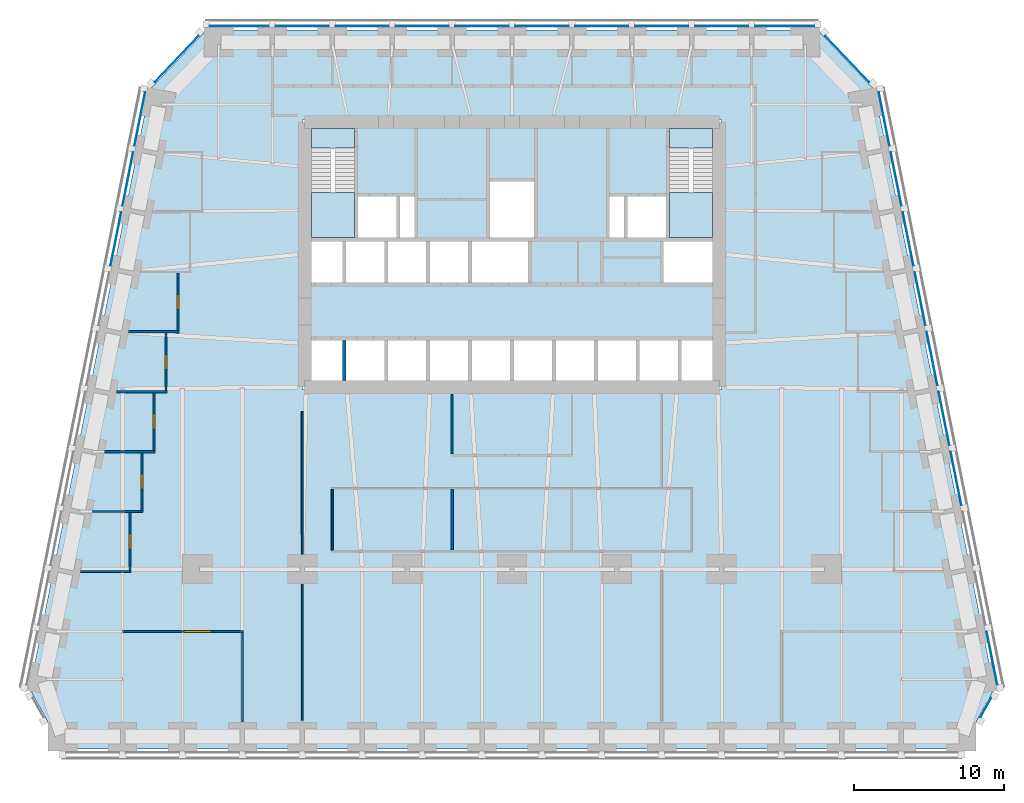
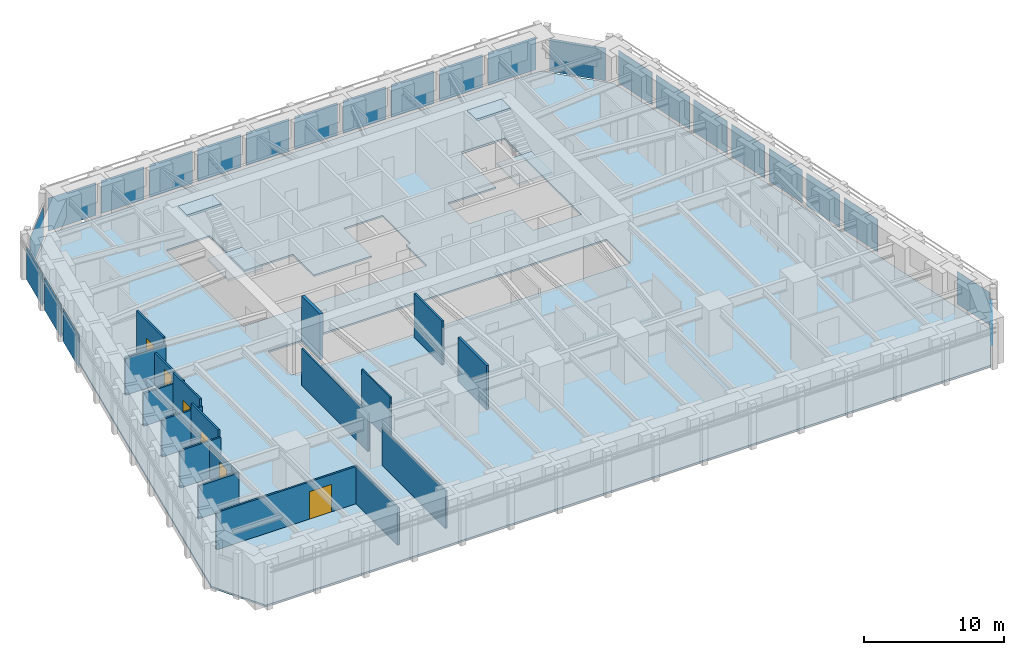
# One storey, part 5 of 10: 24 plates, 18 walls, 6 doors, 5 slabs, 6 openings, 8 elements without a shape of their own.
"""IFC4 building model written with IfcOpenShell, lengths in metres."""

from ifc_helpers import new_model, si_unit, direction, frame, frame_2d, origin, origin_2d, place, context, subcontext, project, spatial, polyline, rectangle, outline, extrude, material, layer, layer_set, type_object, element, fill, aggregate, save


model = new_model("IFC4")

# Units and contexts
model_context = context("Model", 3, precision=1e-05, world=origin(), true_north=direction((0.0, 1.0)))
body_context = subcontext(model_context, "Body", "Model", "MODEL_VIEW")
ifc_project = project(units=[si_unit("LENGTHUNIT", "METRE"), si_unit("AREAUNIT", "SQUARE_METRE"), si_unit("VOLUMEUNIT", "CUBIC_METRE"), si_unit("PLANEANGLEUNIT", "RADIAN"), si_unit("MASSUNIT", "GRAM", prefix="KILO")], contexts=[model_context])

# Site, building, storey
site_placement = place(None, origin())
site = spatial("IfcSite", under=ifc_project, at=site_placement, CompositionType="ELEMENT")
building_placement = place(site_placement, origin())
building = spatial("IfcBuilding", under=site, at=building_placement, Name="Isbrekke Arena Tower", CompositionType="ELEMENT")
storey_placement = place(building_placement, frame((0.0, 0.0, 84.0)))
storey = spatial("IfcBuildingStorey", under=building, at=storey_placement, Name="L18", CompositionType="ELEMENT", Elevation=84.0)

# Curtain wall, plate
ifc_material_1 = material(Name="Glazed aluminium curtain wall", Category="aluminium")
curtain_wall_type = type_object("IfcCurtainWallType", Name="CWL TOWER CURTAIN WALL LOW ZONE", PredefinedType="USERDEFINED", material=ifc_material_1)
curtain_wall_1_placement = place(storey_placement, origin())
curtain_wall_1 = element("IfcCurtainWall", 1, at=curtain_wall_1_placement, inside=storey, type_object=curtain_wall_type, Name="CWL curtain wall L18-SE", ObjectType="TOWER CURTAIN WALL LOW ZONE", PredefinedType="USERDEFINED")
ifc_material_2 = material(Name="Triple-glazed clear glass unit", Category="glass")
ifc_layer_1 = layer(ifc_material_2, 0.031982421875)
ifc_layer_set_1 = layer_set([ifc_layer_1], Name="CWL-P VISION PANEL")
plate_type = type_object("IfcPlateType", Name="CWL-P VISION PANEL", PredefinedType="CURTAIN_PANEL", material=ifc_layer_set_1)
plate_1_placement = place(storey_placement, frame((31.62744140625, -15.24853515625, 0.02001953125), z_axis=(0.0, 0.0, 1.0), x_axis=(0.481918749773, 0.876215908676, 0.0)))
plate_1 = element("IfcPlate", 2, at=plate_1_placement, type_object=plate_type, Name="CWL-P panel 1", PredefinedType="CURTAIN_PANEL", context=body_context, shape_type="SweptSolid", body=[
    extrude(rectangle(XDim=1.453369140625, YDim=0.031982421875, at=origin_2d()), origin(), (0.0, 0.0, 1.0), 2.8798828125),
])
aggregate(curtain_wall_1, [plate_1])

# Curtain wall, plates
curtain_wall_2_placement = place(storey_placement, origin())
curtain_wall_2 = element("IfcCurtainWall", 3, at=curtain_wall_2_placement, inside=storey, type_object=curtain_wall_type, Name="CWL curtain wall L18-E", ObjectType="TOWER CURTAIN WALL LOW ZONE", PredefinedType="USERDEFINED")
plate_2_placement = place(storey_placement, frame((32.045166015625, -11.950927734375, 0.02001953125), z_axis=(0.0, 0.0, 1.0), x_axis=(-0.196116135138, 0.980580675691, 0.0)))
plate_2 = element("IfcPlate", 4, at=plate_2_placement, type_object=plate_type, Name="CWL-P panel 1", PredefinedType="CURTAIN_PANEL", context=body_context, shape_type="SweptSolid", body=[
    extrude(rectangle(XDim=3.629150390625, YDim=0.031982421875, at=origin_2d()), origin(), (0.0, 0.0, 1.0), 2.8798828125),
])
plate_3_placement = place(storey_placement, frame((29.645263671875, 0.049072265625, 0.02001953125), z_axis=(0.0, 0.0, 1.0), x_axis=(-0.196116135138, 0.980580675691, 0.0)))
plate_3 = element("IfcPlate", 5, at=plate_3_placement, type_object=plate_type, Name="CWL-P panel 4", PredefinedType="CURTAIN_PANEL", context=body_context, shape_type="SweptSolid", body=[
    extrude(rectangle(XDim=3.629150390625, YDim=0.031982421875, at=origin_2d()), origin(), (0.0, 0.0, 1.0), 2.8798828125),
])
plate_4_placement = place(storey_placement, frame((28.84521484375, 4.049072265625, 0.02001953125), z_axis=(0.0, 0.0, 1.0), x_axis=(-0.196116135138, 0.980580675691, 0.0)))
plate_4 = element("IfcPlate", 6, at=plate_4_placement, type_object=plate_type, Name="CWL-P panel 5", PredefinedType="CURTAIN_PANEL", context=body_context, shape_type="SweptSolid", body=[
    extrude(rectangle(XDim=3.629150390625, YDim=0.031982421875, at=origin_2d()), origin(), (0.0, 0.0, 1.0), 2.8798828125),
])
plate_5_placement = place(storey_placement, frame((28.045166015625, 8.049072265625, 0.02001953125), z_axis=(0.0, 0.0, 1.0), x_axis=(-0.196116135138, 0.980580675691, 0.0)))
plate_5 = element("IfcPlate", 7, at=plate_5_placement, type_object=plate_type, Name="CWL-P panel 6", PredefinedType="CURTAIN_PANEL", context=body_context, shape_type="SweptSolid", body=[
    extrude(rectangle(XDim=3.629150390625, YDim=0.031982421875, at=origin_2d()), origin(), (0.0, 0.0, 1.0), 2.8798828125),
])
plate_6_placement = place(storey_placement, frame((27.2451171875, 12.049072265625, 0.02001953125), z_axis=(0.0, 0.0, 1.0), x_axis=(-0.196116135138, 0.980580675691, 0.0)))
plate_6 = element("IfcPlate", 8, at=plate_6_placement, type_object=plate_type, Name="CWL-P panel 7", PredefinedType="CURTAIN_PANEL", context=body_context, shape_type="SweptSolid", body=[
    extrude(rectangle(XDim=3.629150390625, YDim=0.031982421875, at=origin_2d()), origin(), (0.0, 0.0, 1.0), 2.8798828125),
])
plate_7_placement = place(storey_placement, frame((26.445068359375, 16.049072265625, 0.02001953125), z_axis=(0.0, 0.0, 1.0), x_axis=(-0.196116135138, 0.980580675691, 0.0)))
plate_7 = element("IfcPlate", 9, at=plate_7_placement, type_object=plate_type, Name="CWL-P panel 8", PredefinedType="CURTAIN_PANEL", context=body_context, shape_type="SweptSolid", body=[
    extrude(rectangle(XDim=3.629150390625, YDim=0.031982421875, at=origin_2d()), origin(), (0.0, 0.0, 1.0), 2.8798828125),
])
plate_8_placement = place(storey_placement, frame((25.645263671875, 20.049072265625, 0.02001953125), z_axis=(0.0, 0.0, 1.0), x_axis=(-0.196116135138, 0.980580675691, 0.0)))
plate_8 = element("IfcPlate", 10, at=plate_8_placement, type_object=plate_type, Name="CWL-P panel 9", PredefinedType="CURTAIN_PANEL", context=body_context, shape_type="SweptSolid", body=[
    extrude(rectangle(XDim=3.629150390625, YDim=0.031982421875, at=origin_2d()), origin(), (0.0, 0.0, 1.0), 2.8798828125),
])
plate_9_placement = place(storey_placement, frame((24.84521484375, 24.049072265625, 0.02001953125), z_axis=(0.0, 0.0, 1.0), x_axis=(-0.196116135138, 0.980580675691, 0.0)))
plate_9 = element("IfcPlate", 11, at=plate_9_placement, type_object=plate_type, Name="CWL-P panel 10", PredefinedType="CURTAIN_PANEL", context=body_context, shape_type="SweptSolid", body=[
    extrude(rectangle(XDim=3.629150390625, YDim=0.031982421875, at=origin_2d()), origin(), (0.0, 0.0, 1.0), 2.8798828125),
])
aggregate(curtain_wall_2, [plate_2, plate_3, plate_4, plate_5, plate_6, plate_7, plate_8, plate_9])

# Curtain wall, plate
curtain_wall_3_placement = place(storey_placement, origin())
curtain_wall_3 = element("IfcCurtainWall", 12, at=curtain_wall_3_placement, inside=storey, type_object=curtain_wall_type, Name="CWL curtain wall L18-EN", ObjectType="TOWER CURTAIN WALL LOW ZONE", PredefinedType="USERDEFINED")
plate_10_placement = place(storey_placement, frame((22.386474609375, 28.05419921875, 0.02001953125), z_axis=(0.0, 0.0, 1.0), x_axis=(-0.68874946192, 0.72499943359, 0.0)))
plate_10 = element("IfcPlate", 13, at=plate_10_placement, type_object=plate_type, Name="CWL-P panel 1", PredefinedType="CURTAIN_PANEL", context=body_context, shape_type="SweptSolid", body=[
    extrude(rectangle(XDim=4.22900390625, YDim=0.031982421875, at=origin_2d()), origin(), (0.0, 0.0, 1.0), 2.8798828125),
])
aggregate(curtain_wall_3, [plate_10])

# Curtain wall, plates
curtain_wall_4_placement = place(storey_placement, origin())
curtain_wall_4 = element("IfcCurtainWall", 14, at=curtain_wall_4_placement, inside=storey, type_object=curtain_wall_type, Name="CWL curtain wall L18-N", ObjectType="TOWER CURTAIN WALL LOW ZONE", PredefinedType="USERDEFINED")
plate_11_placement = place(storey_placement, frame((18.199951171875, 30.25, 0.02001953125), z_axis=(0.0, 0.0, 1.0), x_axis=(-1.0, 0.0, 0.0)))
plate_11 = element("IfcPlate", 15, at=plate_11_placement, type_object=plate_type, Name="CWL-P panel 1", PredefinedType="CURTAIN_PANEL", context=body_context, shape_type="SweptSolid", body=[
    extrude(rectangle(XDim=3.949951171875, YDim=0.031982421875, at=origin_2d()), origin(), (0.0, 0.0, 1.0), 2.8798828125),
])
plate_12_placement = place(storey_placement, frame((14.0, 30.25, 0.02001953125), z_axis=(0.0, 0.0, 1.0), x_axis=(-1.0, 0.0, 0.0)))
plate_12 = element("IfcPlate", 16, at=plate_12_placement, type_object=plate_type, Name="CWL-P panel 2", PredefinedType="CURTAIN_PANEL", context=body_context, shape_type="SweptSolid", body=[
    extrude(rectangle(XDim=3.550048828125, YDim=0.031982421875, at=origin_2d()), origin(), (0.0, 0.0, 1.0), 2.8798828125),
])
plate_13_placement = place(storey_placement, frame((10.0, 30.25, 0.02001953125), z_axis=(0.0, 0.0, 1.0), x_axis=(-1.0, 0.0, 0.0)))
plate_13 = element("IfcPlate", 17, at=plate_13_placement, type_object=plate_type, Name="CWL-P panel 3", PredefinedType="CURTAIN_PANEL", context=body_context, shape_type="SweptSolid", body=[
    extrude(rectangle(XDim=3.550048828125, YDim=0.031982421875, at=origin_2d()), origin(), (0.0, 0.0, 1.0), 2.8798828125),
])
plate_14_placement = place(storey_placement, frame((6.0, 30.25, 0.02001953125), z_axis=(0.0, 0.0, 1.0), x_axis=(-1.0, 0.0, 0.0)))
plate_14 = element("IfcPlate", 18, at=plate_14_placement, type_object=plate_type, Name="CWL-P panel 4", PredefinedType="CURTAIN_PANEL", context=body_context, shape_type="SweptSolid", body=[
    extrude(rectangle(XDim=3.550048828125, YDim=0.031982421875, at=origin_2d()), origin(), (0.0, 0.0, 1.0), 2.8798828125),
])
plate_15_placement = place(storey_placement, frame((2.0, 30.25, 0.02001953125), z_axis=(0.0, 0.0, 1.0), x_axis=(-1.0, 0.0, 0.0)))
plate_15 = element("IfcPlate", 19, at=plate_15_placement, type_object=plate_type, Name="CWL-P panel 5", PredefinedType="CURTAIN_PANEL", context=body_context, shape_type="SweptSolid", body=[
    extrude(rectangle(XDim=3.550048828125, YDim=0.031982421875, at=origin_2d()), origin(), (0.0, 0.0, 1.0), 2.8798828125),
])
plate_16_placement = place(storey_placement, frame((-2.0, 30.25, 0.02001953125), z_axis=(0.0, 0.0, 1.0), x_axis=(-1.0, 0.0, 0.0)))
plate_16 = element("IfcPlate", 20, at=plate_16_placement, type_object=plate_type, Name="CWL-P panel 6", PredefinedType="CURTAIN_PANEL", context=body_context, shape_type="SweptSolid", body=[
    extrude(rectangle(XDim=3.550048828125, YDim=0.031982421875, at=origin_2d()), origin(), (0.0, 0.0, 1.0), 2.8798828125),
])
plate_17_placement = place(storey_placement, frame((-6.0, 30.25, 0.02001953125), z_axis=(0.0, 0.0, 1.0), x_axis=(-1.0, 0.0, 0.0)))
plate_17 = element("IfcPlate", 21, at=plate_17_placement, type_object=plate_type, Name="CWL-P panel 7", PredefinedType="CURTAIN_PANEL", context=body_context, shape_type="SweptSolid", body=[
    extrude(rectangle(XDim=3.550048828125, YDim=0.031982421875, at=origin_2d()), origin(), (0.0, 0.0, 1.0), 2.8798828125),
])
plate_18_placement = place(storey_placement, frame((-10.0, 30.25, 0.02001953125), z_axis=(0.0, 0.0, 1.0), x_axis=(-1.0, 0.0, 0.0)))
plate_18 = element("IfcPlate", 22, at=plate_18_placement, type_object=plate_type, Name="CWL-P panel 8", PredefinedType="CURTAIN_PANEL", context=body_context, shape_type="SweptSolid", body=[
    extrude(rectangle(XDim=3.550048828125, YDim=0.031982421875, at=origin_2d()), origin(), (0.0, 0.0, 1.0), 2.8798828125),
])
plate_19_placement = place(storey_placement, frame((-14.0, 30.25, 0.02001953125), z_axis=(0.0, 0.0, 1.0), x_axis=(-1.0, 0.0, 0.0)))
plate_19 = element("IfcPlate", 23, at=plate_19_placement, type_object=plate_type, Name="CWL-P panel 9", PredefinedType="CURTAIN_PANEL", context=body_context, shape_type="SweptSolid", body=[
    extrude(rectangle(XDim=3.550048828125, YDim=0.031982421875, at=origin_2d()), origin(), (0.0, 0.0, 1.0), 2.8798828125),
])
plate_20_placement = place(storey_placement, frame((-18.199951171875, 30.25, 0.02001953125), z_axis=(0.0, 0.0, 1.0), x_axis=(-1.0, 0.0, 0.0)))
plate_20 = element("IfcPlate", 24, at=plate_20_placement, type_object=plate_type, Name="CWL-P panel 10", PredefinedType="CURTAIN_PANEL", context=body_context, shape_type="SweptSolid", body=[
    extrude(rectangle(XDim=3.949951171875, YDim=0.031982421875, at=origin_2d()), origin(), (0.0, 0.0, 1.0), 2.8798828125),
])
aggregate(curtain_wall_4, [plate_11, plate_12, plate_13, plate_14, plate_15, plate_16, plate_17, plate_18, plate_19, plate_20])

# Curtain wall, plate
curtain_wall_5_placement = place(storey_placement, origin())
curtain_wall_5 = element("IfcCurtainWall", 25, at=curtain_wall_5_placement, inside=storey, type_object=curtain_wall_type, Name="CWL curtain wall L18-NW", ObjectType="TOWER CURTAIN WALL LOW ZONE", PredefinedType="USERDEFINED")
plate_21_placement = place(storey_placement, frame((-22.38623046875, 28.054443359375, 0.02001953125), z_axis=(0.0, 0.0, 1.0), x_axis=(-0.68874946192, -0.72499943359, 0.0)))
plate_21 = element("IfcPlate", 26, at=plate_21_placement, type_object=plate_type, Name="CWL-P panel 1", PredefinedType="CURTAIN_PANEL", context=body_context, shape_type="SweptSolid", body=[
    extrude(rectangle(XDim=4.22802734375, YDim=0.031982421875, at=origin_2d()), origin(), (0.0, 0.0, 1.0), 2.8798828125),
])
aggregate(curtain_wall_5, [plate_21])

# Curtain wall, plates
curtain_wall_6_placement = place(storey_placement, origin())
curtain_wall_6 = element("IfcCurtainWall", 27, at=curtain_wall_6_placement, inside=storey, type_object=curtain_wall_type, Name="CWL curtain wall L18-W", ObjectType="TOWER CURTAIN WALL LOW ZONE", PredefinedType="USERDEFINED")
plate_22_placement = place(storey_placement, frame((-24.84521484375, 24.049072265625, 0.02001953125), z_axis=(0.0, 0.0, 1.0), x_axis=(-0.196116135138, -0.980580675691, 0.0)))
plate_22 = element("IfcPlate", 28, at=plate_22_placement, type_object=plate_type, Name="CWL-P panel 1", PredefinedType="CURTAIN_PANEL", context=body_context, shape_type="SweptSolid", body=[
    extrude(rectangle(XDim=3.629150390625, YDim=0.031982421875, at=origin_2d()), origin(), (0.0, 0.0, 1.0), 2.8798828125),
])
plate_23_placement = place(storey_placement, frame((-25.645263671875, 20.049072265625, 0.02001953125), z_axis=(0.0, 0.0, 1.0), x_axis=(-0.196116135138, -0.980580675691, 0.0)))
plate_23 = element("IfcPlate", 29, at=plate_23_placement, type_object=plate_type, Name="CWL-P panel 2", PredefinedType="CURTAIN_PANEL", context=body_context, shape_type="SweptSolid", body=[
    extrude(rectangle(XDim=3.629150390625, YDim=0.031982421875, at=origin_2d()), origin(), (0.0, 0.0, 1.0), 2.8798828125),
])
plate_24_placement = place(storey_placement, frame((-26.445068359375, 16.049072265625, 0.02001953125), z_axis=(0.0, 0.0, 1.0), x_axis=(-0.196116135138, -0.980580675691, 0.0)))
plate_24 = element("IfcPlate", 30, at=plate_24_placement, type_object=plate_type, Name="CWL-P panel 3", PredefinedType="CURTAIN_PANEL", context=body_context, shape_type="SweptSolid", body=[
    extrude(rectangle(XDim=3.629150390625, YDim=0.031982421875, at=origin_2d()), origin(), (0.0, 0.0, 1.0), 2.8798828125),
])
aggregate(curtain_wall_6, [plate_22, plate_23, plate_24])

# Slab
ifc_material_3 = material(Name="Concrete B35 (C35/45)", Category="concrete")
ifc_layer_2 = layer(ifc_material_3, 0.14990234375)
ifc_layer_set_2 = layer_set([ifc_layer_2], Name="FS1 COMPOSITE FLOOR 150")
slab_type_1 = type_object("IfcSlabType", Name="FS1 COMPOSITE FLOOR 150", PredefinedType="FLOOR", material=ifc_layer_set_2)
slab_1_placement = place(storey_placement, frame((0.0, 0.0, -0.14990234375)))
element("IfcSlab", 31, at=slab_1_placement, inside=storey, type_object=slab_type_1, Name="FS1 floor slab L18", PredefinedType="FLOOR", context=body_context, shape_type="SweptSolid", body=[
    extrude(outline(polyline([(-30.0, -18.0), (30.0, -18.0), (32.199951171875, -14.0), (24.199951171875, 26.0), (20.39990234375, 30.0), (-20.39990234375, 30.0), (-24.199951171875, 26.0), (-32.199951171875, -14.0), (-30.0, -18.0)]), holes=[polyline([(14.0, 9.39990234375), (14.0, 6.0), (-14.0, 6.0), (-14.0, 9.39990234375), (14.0, 9.39990234375)]), polyline([(-6.39990234375, 19.0), (-6.39990234375, 16.0), (-1.60009765625, 16.0), (-1.60009765625, 20.0), (1.60009765625, 20.0), (1.60009765625, 16.0), (1.199951171875, 16.0), (1.199951171875, 13.0), (-14.0, 13.0), (-14.0, 24.0), (-10.39990234375, 24.0), (-10.39990234375, 19.0), (-6.39990234375, 19.0)]), polyline([(10.0, 13.0), (10.0, 16.0), (6.39990234375, 16.0), (6.39990234375, 19.0), (10.39990234375, 19.0), (10.39990234375, 24.0), (14.0, 24.0), (14.0, 13.0), (10.0, 13.0)])]), origin(), (0.0, 0.0, 1.0), 0.14990234375),
])

# Stair, slabs
ifc_material_4 = material(Name="Concrete B45 (C45/55) precast", Category="concrete")
stair_type = type_object("IfcStairType", Name="ST40 STAIR 1300 WIDE, 24 RISERS 167", PredefinedType="HALF_TURN_STAIR", material=ifc_material_4)
stair_1_placement = place(storey_placement, origin())
stair_1 = element("IfcStair", 32, at=stair_1_placement, inside=storey, type_object=stair_type, Name="ST1 stair L18", PredefinedType="HALF_TURN_STAIR")
ifc_material_5 = material(Name="Concrete B35 (C35/45)", Category="concrete")
ifc_layer_3 = layer(ifc_material_5, 0.199951171875)
ifc_layer_set_3 = layer_set([ifc_layer_3], Name="SL1 STAIR LANDING 200")
slab_type_2 = type_object("IfcSlabType", Name="SL1 STAIR LANDING 200", PredefinedType="LANDING", material=ifc_layer_set_3)
slab_2_placement = place(storey_placement, frame((0.0, 0.0, 1.800048828125)))
slab_2 = element("IfcSlab", 33, at=slab_2_placement, type_object=slab_type_2, Name="ST1 landing 1", PredefinedType="LANDING", context=body_context, shape_type="SweptSolid", body=[
    extrude(outline(polyline([(-13.39990234375, 16.125), (-10.52490234375, 16.125), (-10.52490234375, 19.1298828125), (-13.39990234375, 19.1298828125), (-13.39990234375, 16.125)])), origin(), (0.0, 0.0, 1.0), 0.199951171875),
])
slab_3_placement = place(storey_placement, frame((0.0, 0.0, 3.800048828125)))
slab_3 = element("IfcSlab", 34, at=slab_3_placement, type_object=slab_type_2, Name="ST1 landing 2", PredefinedType="LANDING", context=body_context, shape_type="SweptSolid", body=[
    extrude(outline(polyline([(-13.39990234375, 22.10009765625), (-10.52490234375, 22.10009765625), (-10.52490234375, 23.39990234375), (-13.39990234375, 23.39990234375), (-13.39990234375, 22.10009765625)])), origin(), (0.0, 0.0, 1.0), 0.199951171875),
])
aggregate(stair_1, [slab_2, slab_3])

stair_2_placement = place(storey_placement, origin())
stair_2 = element("IfcStair", 35, at=stair_2_placement, inside=storey, type_object=stair_type, Name="ST2 stair L18", PredefinedType="HALF_TURN_STAIR")
slab_4_placement = place(storey_placement, frame((0.0, 0.0, 1.800048828125)))
slab_4 = element("IfcSlab", 36, at=slab_4_placement, type_object=slab_type_2, Name="ST2 landing 1", PredefinedType="LANDING", context=body_context, shape_type="SweptSolid", body=[
    extrude(outline(polyline([(10.52490234375, 16.125), (13.39990234375, 16.125), (13.39990234375, 19.1298828125), (10.52490234375, 19.1298828125), (10.52490234375, 16.125)])), origin(), (0.0, 0.0, 1.0), 0.199951171875),
])
slab_5_placement = place(storey_placement, frame((0.0, 0.0, 3.800048828125)))
slab_5 = element("IfcSlab", 37, at=slab_5_placement, type_object=slab_type_2, Name="ST2 landing 2", PredefinedType="LANDING", context=body_context, shape_type="SweptSolid", body=[
    extrude(outline(polyline([(10.52490234375, 22.10009765625), (13.39990234375, 22.10009765625), (13.39990234375, 23.39990234375), (10.52490234375, 23.39990234375), (10.52490234375, 22.10009765625)])), origin(), (0.0, 0.0, 1.0), 0.199951171875),
])
aggregate(stair_2, [slab_4, slab_5])

# Wall
ifc_material_6 = material(Name="Concrete B45 (C45/55)", Category="concrete")
ifc_layer_4 = layer(ifc_material_6, 0.25)
ifc_layer_set_4 = layer_set([ifc_layer_4], Name="CW6 SHAFT WALL 250")
wall_type_1 = type_object("IfcWallType", Name="CW6 SHAFT WALL 250", PredefinedType="SHEAR", material=ifc_layer_set_4)
wall_1_placement = place(storey_placement, frame((-11.199951171875, 6.60009765625, 0.0), z_axis=(0.0, 0.0, 1.0), x_axis=(0.0, 1.0, 0.0)))
element("IfcWall", 38, at=wall_1_placement, inside=storey, type_object=wall_type_1, Name="Core wall SS01 L18", PredefinedType="SHEAR", context=body_context, shape_type="SweptSolid", body=[
    extrude(rectangle(XDim=2.6748046875, YDim=0.25, at=frame_2d((1.33740234375, 0.0))), origin(), (0.0, 0.0, 1.0), 4.0),
])

# Wall, opening, door
ifc_material_7 = material(Name="Gypsum board partition on steel studs", Category="steel")
ifc_layer_5 = layer(ifc_material_7, 0.14990234375)
ifc_layer_set_5 = layer_set([ifc_layer_5], Name="IW1 PARTITION 150")
wall_type_2 = type_object("IfcWallType", Name="IW1 PARTITION 150", PredefinedType="PARTITIONING", material=ifc_layer_set_5)
wall_2_placement = place(storey_placement, frame((-29.596435546875, -10.159912109375, 0.0), z_axis=(0.0, 0.0, 1.0), x_axis=(1.0, 0.0, 0.0)))
wall_2 = element("IfcWall", 39, at=wall_2_placement, inside=storey, type_object=wall_type_2, Name="IW1 partition 150 L18", PredefinedType="PARTITIONING", context=body_context, shape_type="SweptSolid", body=[
    extrude(rectangle(XDim=11.67138671875, YDim=0.14990234375, at=frame_2d((5.835693359375, 0.0))), origin(), (0.0, 0.0, 1.0), 3.25),
])
opening_1_placement = place(wall_2_placement, frame((7.6962890625, 0.0, 0.0)))
opening_1 = element("IfcOpeningElement", 40, at=opening_1_placement, cuts=wall_2, Name="Opening D13", PredefinedType="OPENING", context=body_context, shape_type="SweptSolid", body=[
    extrude(rectangle(XDim=1.800048828125, YDim=2.39990234375, at=frame_2d((0.89990234375, 1.199951171875))), frame((0.0, 0.08984375, 0.0), z_axis=(0.0, -1.0, 0.0), x_axis=(1.0, 0.0, 0.0)), (0.0, 0.0, 1.0), 0.1796875),
])
ifc_material_8 = material(Name="Timber door pair", Category="wood")
door_type_1 = type_object("IfcDoorType", Name="D13 DOUBLE ROOM DOOR 1800 x 2400", OperationType="DOUBLE_DOOR_SINGLE_SWING", PredefinedType="DOOR", material=ifc_material_8)
door_1_placement = place(opening_1_placement, origin())
door_1 = element("IfcDoor", 41, at=door_1_placement, inside=storey, type_object=door_type_1, Name="D13 office door L18", OperationType="DOUBLE_DOOR_SINGLE_SWING", OverallHeight=2.39990234375, OverallWidth=1.800048828125, PredefinedType="DOOR", context=body_context, shape_type="SweptSolid", body=[
    extrude(rectangle(XDim=1.800048828125, YDim=2.39990234375, at=frame_2d((0.89990234375, 1.199951171875))), frame((0.0, 0.07470703125, 0.0), z_axis=(0.0, -1.0, 0.0), x_axis=(1.0, 0.0, 0.0)), (0.0, 0.0, 1.0), 0.1494140625),
])
fill(opening_1, door_1)

# Walls
wall_3_placement = place(storey_placement, frame((-28.79638671875, -6.159912109375, 0.0), z_axis=(0.0, 0.0, 1.0), x_axis=(1.0, 0.0, 0.0)))
element("IfcWall", 42, at=wall_3_placement, inside=storey, type_object=wall_type_2, Name="IW1 partition 150 L18", PredefinedType="PARTITIONING", context=body_context, shape_type="SweptSolid", body=[
    extrude(rectangle(XDim=3.371337890625, YDim=0.14990234375, at=frame_2d((1.685546875, 0.0))), origin(), (0.0, 0.0, 1.0), 2.842041015625),
])
for number, where, z_axis, x_axis, name in (
    (43, (-27.996337890625, -2.159912109375, 0.0), (0.0, 0.0, 1.0), (1.0, 0.0, 0.0), "IW1 partition 150 L18"),
    (44, (-27.1962890625, 1.840087890625, 0.0), (0.0, 0.0, 1.0), (1.0, 0.0, 0.0), "IW1 partition 150 L18"),
):
    element("IfcWall", number, at=place(storey_placement, frame(where, z_axis=z_axis, x_axis=x_axis)), inside=storey, type_object=wall_type_2, Name=name, PredefinedType="PARTITIONING", context=body_context, shape_type="SweptSolid", body=[
        extrude(rectangle(XDim=3.371337890625, YDim=0.14990234375, at=frame_2d((1.685546875, 0.0))), origin(), (0.0, 0.0, 1.0), 3.25),
    ])
wall_4_placement = place(storey_placement, frame((-26.396484375, 5.840087890625, 0.0), z_axis=(0.0, 0.0, 1.0), x_axis=(1.0, 0.0, 0.0)))
element("IfcWall", 45, at=wall_4_placement, inside=storey, type_object=wall_type_2, Name="IW1 partition 150 L18", PredefinedType="PARTITIONING", context=body_context, shape_type="SweptSolid", body=[
    extrude(rectangle(XDim=3.37158203125, YDim=0.14990234375, at=frame_2d((1.685791015625, 0.0))), origin(), (0.0, 0.0, 1.0), 2.842041015625),
])
wall_5_placement = place(storey_placement, frame((-25.596435546875, 9.840087890625, 0.0), z_axis=(0.0, 0.0, 1.0), x_axis=(1.0, 0.0, 0.0)))
element("IfcWall", 46, at=wall_5_placement, inside=storey, type_object=wall_type_2, Name="IW1 partition 150 L18", PredefinedType="PARTITIONING", context=body_context, shape_type="SweptSolid", body=[
    extrude(rectangle(XDim=3.371337890625, YDim=0.14990234375, at=frame_2d((1.685546875, 0.0))), origin(), (0.0, 0.0, 1.0), 3.25),
])

# Wall, opening, door
wall_6_placement = place(storey_placement, frame((-25.5, -6.0849609375, 0.0), z_axis=(0.0, 0.0, 1.0), x_axis=(0.0, 1.0, 0.0)))
wall_6 = element("IfcWall", 47, at=wall_6_placement, inside=storey, type_object=wall_type_2, Name="IW1 partition 150 L18", PredefinedType="PARTITIONING", context=body_context, shape_type="SweptSolid", body=[
    extrude(rectangle(XDim=3.849853515625, YDim=0.14990234375, at=frame_2d((1.9248046875, 0.0))), origin(), (0.0, 0.0, 1.0), 2.842041015625),
])
opening_2_placement = place(wall_6_placement, frame((1.425048828125, 0.0, 0.0)))
opening_2 = element("IfcOpeningElement", 48, at=opening_2_placement, cuts=wall_6, Name="Opening D10", PredefinedType="OPENING", context=body_context, shape_type="SweptSolid", body=[
    extrude(rectangle(XDim=1.0, YDim=2.300048828125, at=frame_2d((0.5, 1.14990234375))), frame((0.0, 0.08984375, 0.0), z_axis=(0.0, -1.0, 0.0), x_axis=(1.0, 0.0, 0.0)), (0.0, 0.0, 1.0), 0.1796875),
])
ifc_material_9 = material(Name="Timber door", Category="wood")
door_type_2 = type_object("IfcDoorType", Name="D10 OFFICE DOOR 1000 x 2300", OperationType="SINGLE_SWING_LEFT", PredefinedType="DOOR", material=ifc_material_9)
door_2_placement = place(opening_2_placement, origin())
door_2 = element("IfcDoor", 49, at=door_2_placement, inside=storey, type_object=door_type_2, Name="D10 office door L18", OperationType="SINGLE_SWING_LEFT", OverallHeight=2.300048828125, OverallWidth=1.0, PredefinedType="DOOR", context=body_context, shape_type="SweptSolid", body=[
    extrude(rectangle(XDim=1.0, YDim=2.300048828125, at=frame_2d((0.5, 1.14990234375))), frame((0.0, 0.07470703125, 0.0), z_axis=(0.0, -1.0, 0.0), x_axis=(1.0, 0.0, 0.0)), (0.0, 0.0, 1.0), 0.1494140625),
])
fill(opening_2, door_2)

wall_7_placement = place(storey_placement, frame((-24.699951171875, -2.0849609375, 0.0), z_axis=(0.0, 0.0, 1.0), x_axis=(0.0, 1.0, 0.0)))
wall_7 = element("IfcWall", 50, at=wall_7_placement, inside=storey, type_object=wall_type_2, Name="IW1 partition 150 L18", PredefinedType="PARTITIONING", context=body_context, shape_type="SweptSolid", body=[
    extrude(rectangle(XDim=3.849853515625, YDim=0.14990234375, at=frame_2d((1.9248046875, 0.0))), origin(), (0.0, 0.0, 1.0), 3.85009765625),
])
opening_3_placement = place(wall_7_placement, frame((1.425048828125, 0.0, 0.0)))
opening_3 = element("IfcOpeningElement", 51, at=opening_3_placement, cuts=wall_7, Name="Opening D10", PredefinedType="OPENING", context=body_context, shape_type="SweptSolid", body=[
    extrude(rectangle(XDim=1.0, YDim=2.300048828125, at=frame_2d((0.5, 1.14990234375))), frame((0.0, 0.08984375, 0.0), z_axis=(0.0, -1.0, 0.0), x_axis=(1.0, 0.0, 0.0)), (0.0, 0.0, 1.0), 0.1796875),
])
door_3_placement = place(opening_3_placement, origin())
door_3 = element("IfcDoor", 52, at=door_3_placement, inside=storey, type_object=door_type_2, Name="D10 office door L18", OperationType="SINGLE_SWING_LEFT", OverallHeight=2.300048828125, OverallWidth=1.0, PredefinedType="DOOR", context=body_context, shape_type="SweptSolid", body=[
    extrude(rectangle(XDim=1.0, YDim=2.300048828125, at=frame_2d((0.5, 1.14990234375))), frame((0.0, 0.07470703125, 0.0), z_axis=(0.0, -1.0, 0.0), x_axis=(1.0, 0.0, 0.0)), (0.0, 0.0, 1.0), 0.1494140625),
])
fill(opening_3, door_3)

wall_8_placement = place(storey_placement, frame((-23.89990234375, 1.9150390625, 0.0), z_axis=(0.0, 0.0, 1.0), x_axis=(0.0, 1.0, 0.0)))
wall_8 = element("IfcWall", 53, at=wall_8_placement, inside=storey, type_object=wall_type_2, Name="IW1 partition 150 L18", PredefinedType="PARTITIONING", context=body_context, shape_type="SweptSolid", body=[
    extrude(rectangle(XDim=3.849853515625, YDim=0.14990234375, at=frame_2d((1.9248046875, 0.0))), origin(), (0.0, 0.0, 1.0), 3.85009765625),
])
opening_4_placement = place(wall_8_placement, frame((1.425048828125, 0.0, 0.0)))
opening_4 = element("IfcOpeningElement", 54, at=opening_4_placement, cuts=wall_8, Name="Opening D10", PredefinedType="OPENING", context=body_context, shape_type="SweptSolid", body=[
    extrude(rectangle(XDim=1.0, YDim=2.300048828125, at=frame_2d((0.5, 1.14990234375))), frame((0.0, 0.08984375, 0.0), z_axis=(0.0, -1.0, 0.0), x_axis=(1.0, 0.0, 0.0)), (0.0, 0.0, 1.0), 0.1796875),
])
door_4_placement = place(opening_4_placement, origin())
door_4 = element("IfcDoor", 55, at=door_4_placement, inside=storey, type_object=door_type_2, Name="D10 office door L18", OperationType="SINGLE_SWING_LEFT", OverallHeight=2.300048828125, OverallWidth=1.0, PredefinedType="DOOR", context=body_context, shape_type="SweptSolid", body=[
    extrude(rectangle(XDim=1.0, YDim=2.300048828125, at=frame_2d((0.5, 1.14990234375))), frame((0.0, 0.07470703125, 0.0), z_axis=(0.0, -1.0, 0.0), x_axis=(1.0, 0.0, 0.0)), (0.0, 0.0, 1.0), 0.1494140625),
])
fill(opening_4, door_4)

wall_9_placement = place(storey_placement, frame((-23.10009765625, 5.9150390625, 0.0), z_axis=(0.0, 0.0, 1.0), x_axis=(0.0, 1.0, 0.0)))
wall_9 = element("IfcWall", 56, at=wall_9_placement, inside=storey, type_object=wall_type_2, Name="IW1 partition 150 L18", PredefinedType="PARTITIONING", context=body_context, shape_type="SweptSolid", body=[
    extrude(rectangle(XDim=3.849853515625, YDim=0.14990234375, at=frame_2d((1.9248046875, 0.0))), origin(), (0.0, 0.0, 1.0), 2.842041015625),
])
opening_5_placement = place(wall_9_placement, frame((1.425048828125, 0.0, 0.0)))
opening_5 = element("IfcOpeningElement", 57, at=opening_5_placement, cuts=wall_9, Name="Opening D10", PredefinedType="OPENING", context=body_context, shape_type="SweptSolid", body=[
    extrude(rectangle(XDim=1.0, YDim=2.300048828125, at=frame_2d((0.5, 1.14990234375))), frame((0.0, 0.08984375, 0.0), z_axis=(0.0, -1.0, 0.0), x_axis=(1.0, 0.0, 0.0)), (0.0, 0.0, 1.0), 0.1796875),
])
door_5_placement = place(opening_5_placement, origin())
door_5 = element("IfcDoor", 58, at=door_5_placement, inside=storey, type_object=door_type_2, Name="D10 office door L18", OperationType="SINGLE_SWING_LEFT", OverallHeight=2.300048828125, OverallWidth=1.0, PredefinedType="DOOR", context=body_context, shape_type="SweptSolid", body=[
    extrude(rectangle(XDim=1.0, YDim=2.300048828125, at=frame_2d((0.5, 1.14990234375))), frame((0.0, 0.07470703125, 0.0), z_axis=(0.0, -1.0, 0.0), x_axis=(1.0, 0.0, 0.0)), (0.0, 0.0, 1.0), 0.1494140625),
])
fill(opening_5, door_5)

wall_10_placement = place(storey_placement, frame((-22.300048828125, 9.9150390625, 0.0), z_axis=(0.0, 0.0, 1.0), x_axis=(0.0, 1.0, 0.0)))
wall_10 = element("IfcWall", 59, at=wall_10_placement, inside=storey, type_object=wall_type_2, Name="IW1 partition 150 L18", PredefinedType="PARTITIONING", context=body_context, shape_type="SweptSolid", body=[
    extrude(rectangle(XDim=3.849853515625, YDim=0.14990234375, at=frame_2d((1.9248046875, 0.0))), origin(), (0.0, 0.0, 1.0), 3.85009765625),
])
opening_6_placement = place(wall_10_placement, frame((1.425048828125, 0.0, 0.0)))
opening_6 = element("IfcOpeningElement", 60, at=opening_6_placement, cuts=wall_10, Name="Opening D10", PredefinedType="OPENING", context=body_context, shape_type="SweptSolid", body=[
    extrude(rectangle(XDim=1.0, YDim=2.300048828125, at=frame_2d((0.5, 1.14990234375))), frame((0.0, 0.08984375, 0.0), z_axis=(0.0, -1.0, 0.0), x_axis=(1.0, 0.0, 0.0)), (0.0, 0.0, 1.0), 0.1796875),
])
door_6_placement = place(opening_6_placement, origin())
door_6 = element("IfcDoor", 61, at=door_6_placement, inside=storey, type_object=door_type_2, Name="D10 office door L18", OperationType="SINGLE_SWING_LEFT", OverallHeight=2.300048828125, OverallWidth=1.0, PredefinedType="DOOR", context=body_context, shape_type="SweptSolid", body=[
    extrude(rectangle(XDim=1.0, YDim=2.300048828125, at=frame_2d((0.5, 1.14990234375))), frame((0.0, 0.07470703125, 0.0), z_axis=(0.0, -1.0, 0.0), x_axis=(1.0, 0.0, 0.0)), (0.0, 0.0, 1.0), 0.1494140625),
])
fill(opening_6, door_6)

# Walls
wall_11_placement = place(storey_placement, frame((-18.0, -16.199951171875, 0.0), z_axis=(0.0, 0.0, 1.0), x_axis=(0.0, 1.0, 0.0)))
element("IfcWall", 62, at=wall_11_placement, inside=storey, type_object=wall_type_2, Name="IW1 partition 150 L18", PredefinedType="PARTITIONING", context=body_context, shape_type="SweptSolid", body=[
    extrude(rectangle(XDim=5.96484375, YDim=0.14990234375, at=frame_2d((2.982421875, 0.0))), origin(), (0.0, 0.0, 1.0), 3.25),
])
wall_12_placement = place(storey_placement, frame((-4.0, 1.675048828125, 0.0), z_axis=(0.0, 0.0, 1.0), x_axis=(0.0, 1.0, 0.0)))
element("IfcWall", 63, at=wall_12_placement, inside=storey, type_object=wall_type_2, Name="IW1 partition 150 L18", PredefinedType="PARTITIONING", context=body_context, shape_type="SweptSolid", body=[
    extrude(rectangle(XDim=3.994873046875, YDim=0.14990234375, at=frame_2d((1.99755859375, 0.0))), origin(), (0.0, 0.0, 1.0), 3.85009765625),
])
ifc_material_10 = material(Name="Frameless glazed partition, laminated acoustic glass", Category="glass")
ifc_layer_6 = layer(ifc_material_10, 0.1201171875)
ifc_layer_set_6 = layer_set([ifc_layer_6], Name="IW2 GLAZED PARTITION 120")
wall_type_3 = type_object("IfcWallType", Name="IW2 GLAZED PARTITION 120", PredefinedType="PARTITIONING", material=ifc_layer_set_6)
wall_13_placement = place(storey_placement, frame((-12.0, -4.739990234375, 0.0), z_axis=(0.0, 0.0, 1.0), x_axis=(0.0, 1.0, 0.0)))
element("IfcWall", 64, at=wall_13_placement, inside=storey, type_object=wall_type_3, Name="IW2 glazed partition 120 L18", PredefinedType="PARTITIONING", context=body_context, shape_type="SweptSolid", body=[
    extrude(rectangle(XDim=4.080078125, YDim=0.1201171875, at=frame_2d((2.0400390625, 0.0))), origin(), (0.0, 0.0, 1.0), 3.85009765625),
])
wall_14_placement = place(storey_placement, frame((-13.9990234375, -16.10009765625, 0.0), z_axis=(0.0, 0.0, 1.0), x_axis=(0.0, 1.0, 0.0)))
element("IfcWall", 65, at=wall_14_placement, inside=storey, type_object=wall_type_3, Name="IW2 glazed partition 120 L18", PredefinedType="PARTITIONING", context=body_context, shape_type="SweptSolid", body=[
    extrude(rectangle(XDim=9.10009765625, YDim=0.1201171875, at=frame_2d((4.550048828125, 0.0))), origin(), (0.0, 0.0, 1.0), 3.25),
])
wall_15_placement = place(storey_placement, frame((-13.9990234375, -5.0, 0.0), z_axis=(0.0, 0.0, 1.0), x_axis=(0.0, 1.0, 0.0)))
element("IfcWall", 66, at=wall_15_placement, inside=storey, type_object=wall_type_3, Name="IW2 glazed partition 120 L18", PredefinedType="PARTITIONING", context=body_context, shape_type="SweptSolid", body=[
    extrude(rectangle(XDim=9.5, YDim=0.1201171875, at=frame_2d((4.75, 0.0))), origin(), (0.0, 0.0, 1.0), 3.25),
])
ifc_material_11 = material(Name="Gypsum board acoustic partition on twin steel studs", Category="steel")
ifc_layer_7 = layer(ifc_material_11, 0.175048828125)
ifc_layer_set_7 = layer_set([ifc_layer_7], Name="IW4 ACOUSTIC PARTITION 175")
wall_type_4 = type_object("IfcWallType", Name="IW4 ACOUSTIC PARTITION 175", PredefinedType="PARTITIONING", material=ifc_layer_set_7)
wall_16_placement = place(storey_placement, frame((-4.0, -4.739990234375, 0.0), z_axis=(0.0, 0.0, 1.0), x_axis=(0.0, 1.0, 0.0)))
element("IfcWall", 67, at=wall_16_placement, inside=storey, type_object=wall_type_4, Name="IW4 acoustic partition 175 L18", PredefinedType="PARTITIONING", context=body_context, shape_type="SweptSolid", body=[
    extrude(rectangle(XDim=4.080078125, YDim=0.175048828125, at=frame_2d((2.0400390625, 0.0))), origin(), (0.0, 0.0, 1.0), 3.85009765625),
])

save(model, "model.ifc")
